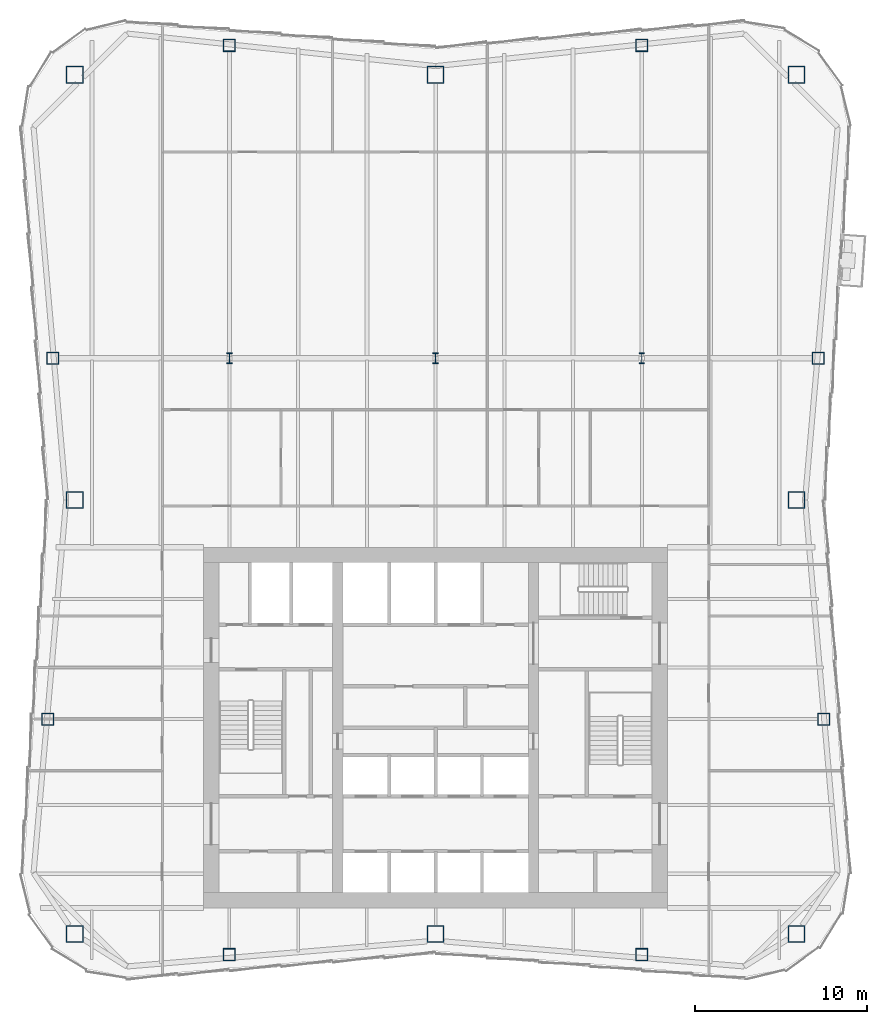
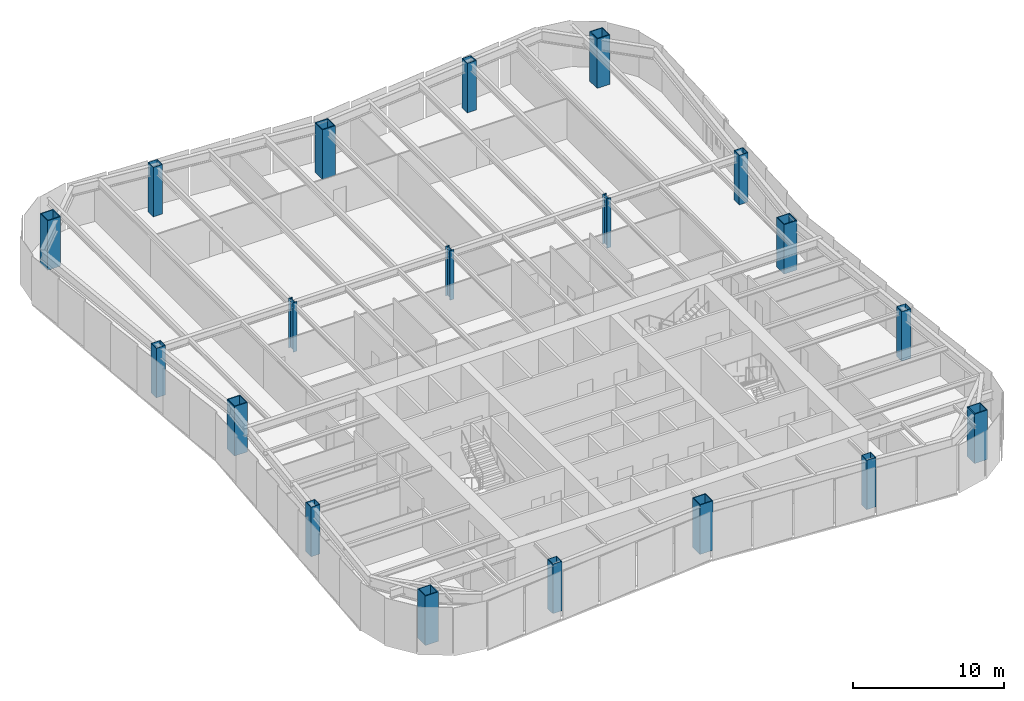
# One storey, part 1 of 10: 19 columns.
"""IFC4 building model written with IfcOpenShell, lengths in metres."""

from ifc_helpers import new_model, si_unit, direction, frame, origin, origin_2d, place, context, subcontext, project, spatial, hollow_rectangle, i_section, extrude, material, material_profile, profile_set, type_object, element, save


model = new_model("IFC4")

# Units and contexts
model_context = context("Model", 3, precision=1e-05, world=origin(), true_north=direction((0.0, 1.0)))
body_context = subcontext(model_context, "Body", "Model", "MODEL_VIEW")
ifc_project = project(units=[si_unit("LENGTHUNIT", "METRE"), si_unit("AREAUNIT", "SQUARE_METRE"), si_unit("VOLUMEUNIT", "CUBIC_METRE"), si_unit("PLANEANGLEUNIT", "RADIAN"), si_unit("MASSUNIT", "GRAM", prefix="KILO")], contexts=[model_context])

# Site, building, storey
site_placement = place(None, origin())
site = spatial("IfcSite", under=ifc_project, at=site_placement, CompositionType="ELEMENT")
building_placement = place(site_placement, origin())
building = spatial("IfcBuilding", under=site, at=building_placement, Name="Verdant Reach Tower", CompositionType="ELEMENT")
storey_placement = place(building_placement, frame((0.0, 0.0, 186.0)))
storey = spatial("IfcBuildingStorey", under=building, at=storey_placement, Name="L42", CompositionType="ELEMENT", Elevation=186.0)

# Columns
ifc_material = material(Name="Steel S460", Category="steel")
ifc_material_profile_1 = material_profile(ifc_material, i_section(OverallWidth=0.304931640625, OverallDepth=0.6201171875, WebThickness=0.02099609375, FlangeThickness=0.0400390625, FilletRadius=0.027099609375, at=origin_2d()), Name="HEM 600")
ifc_profile_set_1 = profile_set([ifc_material_profile_1], Name="Steel S460")
column_type_1 = type_object("IfcColumnType", Name="ST-COL-HEM600", PredefinedType="COLUMN", material=ifc_profile_set_1)
for number, where, z_axis, x_axis, name in (
    (1, (-12.0, 49.5, 0.0), (0.0, 0.0, 1.0), (1.0, 0.0, 0.0), "Interior column 1, L42"),
    (2, (0.0, 49.5, 0.0), (0.0, 0.0, 1.0), (1.0, 0.0, 0.0), "Interior column 2, L42"),
    (3, (12.0, 49.5, 0.0), (0.0, 0.0, 1.0), (1.0, 0.0, 0.0), "Interior column 3, L42"),
):
    element("IfcColumn", number, at=place(storey_placement, frame(where, z_axis=z_axis, x_axis=x_axis)), inside=storey, type_object=column_type_1, Name=name, PredefinedType="COLUMN", context=body_context, shape_type="SweptSolid", body=[
        extrude(i_section(OverallWidth=0.304931640625, OverallDepth=0.6201171875, WebThickness=0.02099609375, FlangeThickness=0.0400390625, FilletRadius=0.027099609375, at=origin_2d()), origin(), (0.0, 0.0, 1.0), 4.0),
    ])
ifc_material_profile_2 = material_profile(ifc_material, hollow_rectangle(XDim=1.0, YDim=1.0, WallThickness=0.06005859375, at=origin_2d()), Name="WB 1000x1000x60")
ifc_profile_set_2 = profile_set([ifc_material_profile_2], Name="Steel S460")
column_type_2 = type_object("IfcColumnType", Name="ST-COL-WB1000x1000x60", PredefinedType="COLUMN", material=ifc_profile_set_2)
for number, where, z_axis, x_axis, name in (
    (4, (-21.0, 66.0, 0.0), (0.0, 0.0, 1.0), (1.0, 0.0, 0.0), "Mega column north-west, L42"),
    (5, (0.0, 66.0, 0.0), (0.0, 0.0, 1.0), (1.0, 0.0, 0.0), "Mega column north, L42"),
    (6, (21.0, 66.0, 0.0), (0.0, 0.0, 1.0), (1.0, 0.0, 0.0), "Mega column north-east, L42"),
    (7, (21.0, 41.25, 0.0), (0.0, 0.0, 1.0), (1.0, 0.0, 0.0), "Mega column east, L42"),
    (8, (21.0, 16.0, 0.0), (0.0, 0.0, 1.0), (1.0, 0.0, 0.0), "Mega column south-east, L42"),
    (9, (0.0, 16.0, 0.0), (0.0, 0.0, 1.0), (1.0, 0.0, 0.0), "Mega column south, L42"),
    (10, (-21.0, 16.0, 0.0), (0.0, 0.0, 1.0), (1.0, 0.0, 0.0), "Mega column south-west, L42"),
    (11, (-21.0, 41.25, 0.0), (0.0, 0.0, 1.0), (1.0, 0.0, 0.0), "Mega column west, L42"),
):
    element("IfcColumn", number, at=place(storey_placement, frame(where, z_axis=z_axis, x_axis=x_axis)), inside=storey, type_object=column_type_2, Name=name, PredefinedType="COLUMN", context=body_context, shape_type="SweptSolid", body=[
        extrude(hollow_rectangle(XDim=1.0, YDim=1.0, WallThickness=0.06005859375, at=origin_2d()), origin(), (0.0, 0.0, 1.0), 4.0),
    ])
ifc_material_profile_3 = material_profile(ifc_material, hollow_rectangle(XDim=0.699951171875, YDim=0.699951171875, WallThickness=0.030029296875, at=origin_2d()), Name="WB 700x700x30")
ifc_profile_set_3 = profile_set([ifc_material_profile_3], Name="Steel S460")
column_type_3 = type_object("IfcColumnType", Name="ST-COL-WB700x700x30", PredefinedType="COLUMN", material=ifc_profile_set_3)
for number, where, z_axis, x_axis, name in (
    (12, (-12.0, 67.699951171875, 0.0), (0.0, 0.0, 1.0), (1.0, 0.0, 0.0), "Perimeter column north 1, L42"),
    (13, (12.0, 67.699951171875, 0.0), (0.0, 0.0, 1.0), (1.0, 0.0, 0.0), "Perimeter column north 2, L42"),
    (14, (-12.0, 14.800048828125, 0.0), (0.0, 0.0, 1.0), (1.0, 0.0, 0.0), "Perimeter column south 1, L42"),
    (15, (12.0, 14.800048828125, 0.0), (0.0, 0.0, 1.0), (1.0, 0.0, 0.0), "Perimeter column south 2, L42"),
    (16, (22.579345703125, 28.5, 0.0), (0.0, 0.0, 1.0), (1.0, 0.0, 0.0), "Perimeter column east 1, L42"),
    (17, (22.26904296875, 49.5, 0.0), (0.0, 0.0, 1.0), (1.0, 0.0, 0.0), "Perimeter column east 2, L42"),
    (18, (-22.579345703125, 28.5, 0.0), (0.0, 0.0, 1.0), (1.0, 0.0, 0.0), "Perimeter column west 1, L42"),
    (19, (-22.26904296875, 49.5, 0.0), (0.0, 0.0, 1.0), (1.0, 0.0, 0.0), "Perimeter column west 2, L42"),
):
    element("IfcColumn", number, at=place(storey_placement, frame(where, z_axis=z_axis, x_axis=x_axis)), inside=storey, type_object=column_type_3, Name=name, PredefinedType="COLUMN", context=body_context, shape_type="SweptSolid", body=[
        extrude(hollow_rectangle(XDim=0.699951171875, YDim=0.699951171875, WallThickness=0.030029296875, at=origin_2d()), origin(), (0.0, 0.0, 1.0), 4.0),
    ])

save(model, "model.ifc")
